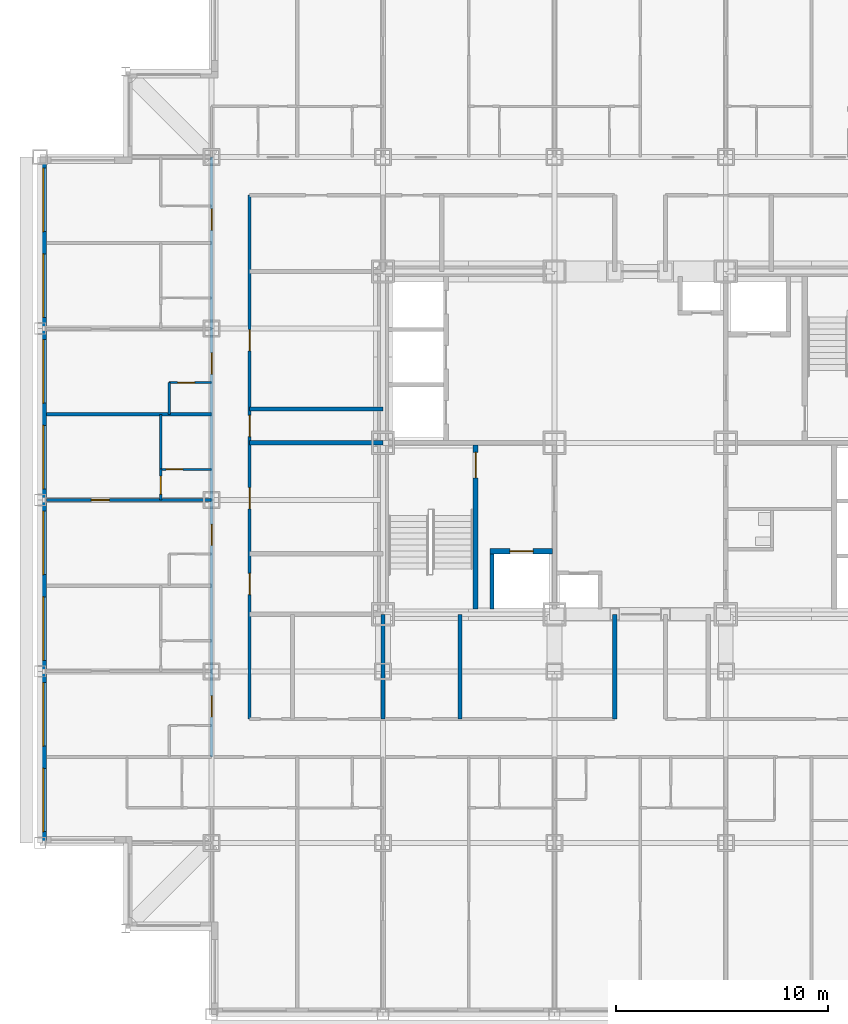
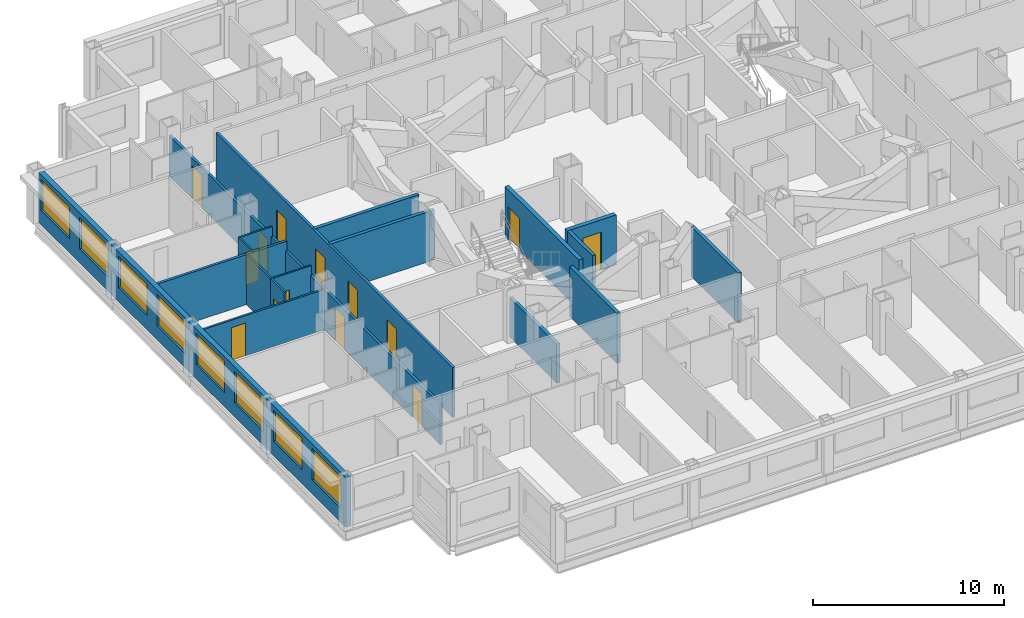
# One storey, part 6 of 14: 18 walls, 14 doors, 8 windows, 22 openings.
"""IFC4 building model written with IfcOpenShell, lengths in metres."""

from ifc_helpers import new_model, si_unit, direction, frame, frame_2d, origin, place, context, subcontext, project, spatial, rectangle, extrude, material, layer, layer_set, type_object, element, fill, save


model = new_model("IFC4")

# Units and contexts
model_context = context("Model", 3, precision=1e-05, world=origin(), true_north=direction((0.0, 1.0)))
body_context = subcontext(model_context, "Body", "Model", "MODEL_VIEW")
ifc_project = project(units=[si_unit("LENGTHUNIT", "METRE"), si_unit("AREAUNIT", "SQUARE_METRE"), si_unit("VOLUMEUNIT", "CUBIC_METRE"), si_unit("PLANEANGLEUNIT", "RADIAN"), si_unit("MASSUNIT", "GRAM", prefix="KILO")], contexts=[model_context])

# Site, building, storey
site_placement = place(None, origin())
site = spatial("IfcSite", under=ifc_project, at=site_placement, CompositionType="ELEMENT")
building_placement = place(site_placement, origin())
building = spatial("IfcBuilding", under=site, at=building_placement, Name="Kopane Lantern Tower", CompositionType="ELEMENT")
storey_placement = place(building_placement, frame((0.0, 0.0, 137.39990234375)))
storey = spatial("IfcBuildingStorey", under=building, at=storey_placement, Name="L35", CompositionType="ELEMENT", Elevation=137.39990234375)

# Wall, opening, door
ifc_material_1 = material(Name="Gypsum board on steel studs", Category="steel")
ifc_layer_1 = layer(ifc_material_1, 0.1201171875)
ifc_layer_set_1 = layer_set([ifc_layer_1], Name="APARTMENT INTERNAL WALL 120")
wall_type_1 = type_object("IfcWallType", Name="APARTMENT INTERNAL WALL 120", PredefinedType="PARTITIONING", material=ifc_layer_set_1)
wall_1_placement = place(storey_placement, frame((8.10009765625, 29.699951171875, 0.0), z_axis=(0.0, 0.0, 1.0), x_axis=(-1.0, 0.0, 0.0)))
wall_1 = element("IfcWall", 1, at=wall_1_placement, inside=storey, type_object=wall_type_1, Name="Apartment Internal Wall 120 L35", PredefinedType="PARTITIONING", context=body_context, shape_type="SweptSolid", body=[
    extrude(rectangle(XDim=7.800048828125, YDim=0.1201171875, at=frame_2d((3.89990234375, 0.0))), origin(), (0.0, 0.0, 1.0), 2.577880859375),
])
opening_1_placement = place(wall_1_placement, frame((4.824951171875, 0.0, 0.0)))
opening_1 = element("IfcOpeningElement", 2, at=opening_1_placement, cuts=wall_1, Name="Opening L35-050", PredefinedType="OPENING", context=body_context, shape_type="SweptSolid", body=[
    extrude(rectangle(XDim=0.85009765625, YDim=2.10009765625, at=frame_2d((0.425048828125, 1.050048828125))), frame((0.0, 0.070068359375, 0.0), z_axis=(0.0, -1.0, 0.0), x_axis=(1.0, 0.0, 0.0)), (0.0, 0.0, 1.0), 0.14013671875),
])
ifc_material_2 = material(Name="Timber door set", Category="wood")
door_type_1 = type_object("IfcDoorType", Name="DOOR D4 850x2100", OperationType="SINGLE_SWING_LEFT", PredefinedType="DOOR", material=ifc_material_2)
door_1_placement = place(opening_1_placement, origin())
door_1 = element("IfcDoor", 3, at=door_1_placement, inside=storey, type_object=door_type_1, Name="Door L35-050", OperationType="SINGLE_SWING_RIGHT", OverallHeight=2.10009765625, OverallWidth=0.85009765625, PredefinedType="DOOR", context=body_context, shape_type="SweptSolid", body=[
    extrude(rectangle(XDim=0.85009765625, YDim=2.10009765625, at=frame_2d((0.425048828125, 1.050048828125))), frame((0.0, 0.02490234375, 0.0), z_axis=(0.0, -1.0, 0.0), x_axis=(1.0, 0.0, 0.0)), (0.0, 0.0, 1.0), 0.050048828125),
])
fill(opening_1, door_1)

wall_2_placement = place(storey_placement, frame((5.699951171875, 29.699951171875, 0.0), z_axis=(0.0, 0.0, 1.0), x_axis=(0.0, 1.0, 0.0)))
wall_2 = element("IfcWall", 4, at=wall_2_placement, inside=storey, type_object=wall_type_1, Name="Apartment Internal Wall 120 L35", PredefinedType="PARTITIONING", context=body_context, shape_type="SweptSolid", body=[
    extrude(rectangle(XDim=1.4599609375, YDim=0.1201171875, at=frame_2d((0.72998046875, 0.0))), origin(), (0.0, 0.0, 1.0), 3.190185546875),
])
opening_2_placement = place(wall_2_placement, frame((0.27490234375, 0.0, 0.0)))
opening_2 = element("IfcOpeningElement", 5, at=opening_2_placement, cuts=wall_2, Name="Opening L35-095", PredefinedType="OPENING", context=body_context, shape_type="SweptSolid", body=[
    extrude(rectangle(XDim=0.85009765625, YDim=2.10009765625, at=frame_2d((0.425048828125, 1.050048828125))), frame((0.0, 0.070068359375, 0.0), z_axis=(0.0, -1.0, 0.0), x_axis=(1.0, 0.0, 0.0)), (0.0, 0.0, 1.0), 0.14013671875),
])
door_2_placement = place(opening_2_placement, origin())
door_2 = element("IfcDoor", 6, at=door_2_placement, inside=storey, type_object=door_type_1, Name="Door L35-095", OperationType="SINGLE_SWING_LEFT", OverallHeight=2.10009765625, OverallWidth=0.85009765625, PredefinedType="DOOR", context=body_context, shape_type="SweptSolid", body=[
    extrude(rectangle(XDim=0.85009765625, YDim=2.10009765625, at=frame_2d((0.425048828125, 1.050048828125))), frame((0.0, 0.02490234375, 0.0), z_axis=(0.0, -1.0, 0.0), x_axis=(1.0, 0.0, 0.0)), (0.0, 0.0, 1.0), 0.050048828125),
])
fill(opening_2, door_2)

# Wall
ifc_material_3 = material(Name="Moisture-resistant board on steel studs", Category="steel")
ifc_layer_2 = layer(ifc_material_3, 0.10009765625)
ifc_layer_set_2 = layer_set([ifc_layer_2], Name="BATHROOM WALL 100")
wall_type_2 = type_object("IfcWallType", Name="BATHROOM WALL 100", PredefinedType="PARTITIONING", material=ifc_layer_set_2)
wall_3_placement = place(storey_placement, frame((5.699951171875, 31.14990234375, 0.0), z_axis=(0.0, 0.0, 1.0), x_axis=(0.0, 1.0, 0.0)))
element("IfcWall", 7, at=wall_3_placement, inside=storey, type_object=wall_type_2, Name="Bathroom Wall 100 L35", PredefinedType="PARTITIONING", context=body_context, shape_type="SweptSolid", body=[
    extrude(rectangle(XDim=2.60009765625, YDim=0.10009765625, at=frame_2d((1.300048828125, 0.0))), origin(), (0.0, 0.0, 1.0), 3.190185546875),
])

# Wall, opening, door
wall_4_placement = place(storey_placement, frame((8.10009765625, 31.14990234375, 0.0), z_axis=(0.0, 0.0, 1.0), x_axis=(-1.0, 0.0, 0.0)))
wall_4 = element("IfcWall", 8, at=wall_4_placement, inside=storey, type_object=wall_type_2, Name="Bathroom Wall 100 L35", PredefinedType="PARTITIONING", context=body_context, shape_type="SweptSolid", body=[
    extrude(rectangle(XDim=2.400146484375, YDim=0.10009765625, at=frame_2d((1.2001953125, 0.0))), origin(), (0.0, 0.0, 1.0), 3.190185546875),
])
opening_3_placement = place(wall_4_placement, frame((1.35009765625, 0.0, 0.0)))
opening_3 = element("IfcOpeningElement", 9, at=opening_3_placement, cuts=wall_4, Name="Opening L35-049", PredefinedType="OPENING", context=body_context, shape_type="SweptSolid", body=[
    extrude(rectangle(XDim=0.800048828125, YDim=2.10009765625, at=frame_2d((0.39990234375, 1.050048828125))), frame((0.0, 0.06005859375, 0.0), z_axis=(0.0, -1.0, 0.0), x_axis=(1.0, 0.0, 0.0)), (0.0, 0.0, 1.0), 0.1201171875),
])
ifc_material_4 = material(Name="Timber door set", Category="wood")
door_type_2 = type_object("IfcDoorType", Name="DOOR D2 800x2100", OperationType="SINGLE_SWING_LEFT", PredefinedType="DOOR", material=ifc_material_4)
door_3_placement = place(opening_3_placement, origin())
door_3 = element("IfcDoor", 10, at=door_3_placement, inside=storey, type_object=door_type_2, Name="Door L35-049", OperationType="SINGLE_SWING_RIGHT", OverallHeight=2.10009765625, OverallWidth=0.800048828125, PredefinedType="DOOR", context=body_context, shape_type="SweptSolid", body=[
    extrude(rectangle(XDim=0.800048828125, YDim=2.10009765625, at=frame_2d((0.39990234375, 1.050048828125))), frame((0.0, 0.02490234375, 0.0), z_axis=(0.0, -1.0, 0.0), x_axis=(1.0, 0.0, 0.0)), (0.0, 0.0, 1.0), 0.050048828125),
])
fill(opening_3, door_3)

# Wall
wall_5_placement = place(storey_placement, frame((6.10009765625, 33.75, 0.0), z_axis=(0.0, 0.0, 1.0), x_axis=(0.0, 1.0, 0.0)))
element("IfcWall", 11, at=wall_5_placement, inside=storey, type_object=wall_type_2, Name="Bathroom Wall 100 L35", PredefinedType="PARTITIONING", context=body_context, shape_type="SweptSolid", body=[
    extrude(rectangle(XDim=1.5, YDim=0.10009765625, at=frame_2d((0.75, 0.0))), origin(), (0.0, 0.0, 1.0), 3.190185546875),
])

# Wall, opening, door
wall_6_placement = place(storey_placement, frame((8.10009765625, 35.25, 0.0), z_axis=(0.0, 0.0, 1.0), x_axis=(-1.0, 0.0, 0.0)))
wall_6 = element("IfcWall", 12, at=wall_6_placement, inside=storey, type_object=wall_type_2, Name="Bathroom Wall 100 L35", PredefinedType="PARTITIONING", context=body_context, shape_type="SweptSolid", body=[
    extrude(rectangle(XDim=2.0, YDim=0.10009765625, at=frame_2d((1.0, 0.0))), origin(), (0.0, 0.0, 1.0), 3.190185546875),
])
opening_4_placement = place(wall_6_placement, frame((0.800048828125, 0.0, 0.0)))
opening_4 = element("IfcOpeningElement", 13, at=opening_4_placement, cuts=wall_6, Name="Opening L35-051", PredefinedType="OPENING", context=body_context, shape_type="SweptSolid", body=[
    extrude(rectangle(XDim=0.800048828125, YDim=2.10009765625, at=frame_2d((0.39990234375, 1.050048828125))), frame((0.0, 0.06005859375, 0.0), z_axis=(0.0, -1.0, 0.0), x_axis=(1.0, 0.0, 0.0)), (0.0, 0.0, 1.0), 0.1201171875),
])
door_4_placement = place(opening_4_placement, origin())
door_4 = element("IfcDoor", 14, at=door_4_placement, inside=storey, type_object=door_type_2, Name="Door L35-051", OperationType="SINGLE_SWING_RIGHT", OverallHeight=2.10009765625, OverallWidth=0.800048828125, PredefinedType="DOOR", context=body_context, shape_type="SweptSolid", body=[
    extrude(rectangle(XDim=0.800048828125, YDim=2.10009765625, at=frame_2d((0.39990234375, 1.050048828125))), frame((0.0, 0.02490234375, 0.0), z_axis=(0.0, -1.0, 0.0), x_axis=(1.0, 0.0, 0.0)), (0.0, 0.0, 1.0), 0.050048828125),
])
fill(opening_4, door_4)

ifc_material_5 = material(Name="Gypsum shaft wall EI 120", Category="gypsum")
ifc_layer_3 = layer(ifc_material_5, 0.25)
ifc_layer_set_3 = layer_set([ifc_layer_3], Name="CORE SHAFT WALL 250 EI 120")
wall_type_3 = type_object("IfcWallType", Name="CORE SHAFT WALL 250 EI 120", PredefinedType="SOLIDWALL", material=ifc_layer_set_3)
wall_7_placement = place(storey_placement, frame((20.574951171875, 24.550048828125, 0.0), z_axis=(0.0, 0.0, 1.0), x_axis=(0.0, 1.0, 0.0)))
wall_7 = element("IfcWall", 15, at=wall_7_placement, inside=storey, type_object=wall_type_3, Name="Core shaft wall L35 XST1", PredefinedType="SOLIDWALL", context=body_context, shape_type="SweptSolid", body=[
    extrude(rectangle(XDim=7.75, YDim=0.25, at=frame_2d((3.875, 0.0))), origin(), (0.0, 0.0, 1.0), 3.190185546875),
])
opening_5_placement = place(wall_7_placement, frame((6.199951171875, 0.0, 0.0)))
opening_5 = element("IfcOpeningElement", 16, at=opening_5_placement, cuts=wall_7, Name="Opening 35.SD1", PredefinedType="OPENING", context=body_context, shape_type="SweptSolid", body=[
    extrude(rectangle(XDim=1.199951171875, YDim=2.10009765625, at=frame_2d((0.60009765625, 1.050048828125))), frame((0.0, 0.135009765625, 0.0), z_axis=(0.0, -1.0, 0.0), x_axis=(1.0, 0.0, 0.0)), (0.0, 0.0, 1.0), 0.27001953125),
])
ifc_material_6 = material(Name="Steel door set", Category="steel")
door_type_3 = type_object("IfcDoorType", Name="STAIR DOOR 1200x2100 FD60S", OperationType="SINGLE_SWING_LEFT", PredefinedType="DOOR", material=ifc_material_6)
door_5_placement = place(opening_5_placement, origin())
door_5 = element("IfcDoor", 17, at=door_5_placement, inside=storey, type_object=door_type_3, Name="Stair door ST1 L35", OperationType="SINGLE_SWING_LEFT", OverallHeight=2.10009765625, OverallWidth=1.199951171875, PredefinedType="DOOR", context=body_context, shape_type="SweptSolid", body=[
    extrude(rectangle(XDim=1.199951171875, YDim=2.10009765625, at=frame_2d((0.60009765625, 1.050048828125))), frame((0.0, 0.02490234375, 0.0), z_axis=(0.0, -1.0, 0.0), x_axis=(1.0, 0.0, 0.0)), (0.0, 0.0, 1.0), 0.050048828125),
])
fill(opening_5, door_5)

wall_8_placement = place(storey_placement, frame((21.25, 27.27490234375, 0.0), z_axis=(0.0, 0.0, 1.0), x_axis=(1.0, 0.0, 0.0)))
wall_8 = element("IfcWall", 18, at=wall_8_placement, inside=storey, type_object=wall_type_3, Name="Core shaft wall L35 YLF1", PredefinedType="SOLIDWALL", context=body_context, shape_type="SweptSolid", body=[
    extrude(rectangle(XDim=2.949951171875, YDim=0.25, at=frame_2d((1.47509765625, 0.0))), origin(), (0.0, 0.0, 1.0), 3.190185546875),
])
opening_6_placement = place(wall_8_placement, frame((0.949951171875, 0.0, 0.0)))
opening_6 = element("IfcOpeningElement", 19, at=opening_6_placement, cuts=wall_8, Name="Opening 35.LD-LF1", PredefinedType="OPENING", context=body_context, shape_type="SweptSolid", body=[
    extrude(rectangle(XDim=1.10009765625, YDim=2.39990234375, at=frame_2d((0.550048828125, 1.199951171875))), frame((0.0, 0.135009765625, 0.0), z_axis=(0.0, -1.0, 0.0), x_axis=(1.0, 0.0, 0.0)), (0.0, 0.0, 1.0), 0.27001953125),
])
ifc_material_7 = material(Name="Steel door set", Category="steel")
door_type_4 = type_object("IfcDoorType", Name="LIFT LANDING DOOR 1100x2400 FD60", OperationType="DOUBLE_DOOR_SLIDING", PredefinedType="DOOR", material=ifc_material_7)
door_6_placement = place(opening_6_placement, origin())
door_6 = element("IfcDoor", 20, at=door_6_placement, inside=storey, type_object=door_type_4, Name="Landing door LF1 L35", OperationType="DOUBLE_DOOR_SLIDING", OverallHeight=2.39990234375, OverallWidth=1.10009765625, PredefinedType="DOOR", context=body_context, shape_type="SweptSolid", body=[
    extrude(rectangle(XDim=1.10009765625, YDim=2.39990234375, at=frame_2d((0.550048828125, 1.199951171875))), frame((0.0, 0.02490234375, 0.0), z_axis=(0.0, -1.0, 0.0), x_axis=(1.0, 0.0, 0.0)), (0.0, 0.0, 1.0), 0.050048828125),
])
fill(opening_6, door_6)

# Wall, openings, doors
ifc_material_8 = material(Name="Gypsum board on steel studs", Category="steel")
ifc_layer_4 = layer(ifc_material_8, 0.14990234375)
ifc_layer_set_4 = layer_set([ifc_layer_4], Name="CORRIDOR WALL 150 EI 60")
wall_type_4 = type_object("IfcWallType", Name="CORRIDOR WALL 150 EI 60", PredefinedType="PARTITIONING", material=ifc_layer_set_4)
wall_9_placement = place(storey_placement, frame((8.10009765625, 17.550048828125, 0.0), z_axis=(0.0, 0.0, 1.0), x_axis=(0.0, 1.0, 0.0)))
wall_9 = element("IfcWall", 21, at=wall_9_placement, inside=storey, type_object=wall_type_4, Name="Corridor Wall 150 Ei 60 L35", PredefinedType="PARTITIONING", context=body_context, shape_type="SweptSolid", body=[
    extrude(rectangle(XDim=28.349853515625, YDim=0.14990234375, at=frame_2d((14.1748046875, 0.0))), origin(), (0.0, 0.0, 1.0), 2.577880859375),
])
opening_7_placement = place(wall_9_placement, frame((1.89990234375, 0.0, 0.0)))
opening_7 = element("IfcOpeningElement", 22, at=opening_7_placement, cuts=wall_9, Name="Opening L35-044", PredefinedType="OPENING", context=body_context, shape_type="SweptSolid", body=[
    extrude(rectangle(XDim=1.0, YDim=2.10009765625, at=frame_2d((0.5, 1.050048828125))), frame((0.0, 0.0849609375, 0.0), z_axis=(0.0, -1.0, 0.0), x_axis=(1.0, 0.0, 0.0)), (0.0, 0.0, 1.0), 0.169921875),
])
opening_8_placement = place(wall_9_placement, frame((10.0, 0.0, 0.0)))
opening_8 = element("IfcOpeningElement", 23, at=opening_8_placement, cuts=wall_9, Name="Opening L35-048", PredefinedType="OPENING", context=body_context, shape_type="SweptSolid", body=[
    extrude(rectangle(XDim=1.0, YDim=2.10009765625, at=frame_2d((0.5, 1.050048828125))), frame((0.0, 0.0849609375, 0.0), z_axis=(0.0, -1.0, 0.0), x_axis=(1.0, 0.0, 0.0)), (0.0, 0.0, 1.0), 0.169921875),
])
opening_9_placement = place(wall_9_placement, frame((18.10009765625, 0.0, 0.0)))
opening_9 = element("IfcOpeningElement", 24, at=opening_9_placement, cuts=wall_9, Name="Opening L35-052", PredefinedType="OPENING", context=body_context, shape_type="SweptSolid", body=[
    extrude(rectangle(XDim=1.0, YDim=2.10009765625, at=frame_2d((0.5, 1.050048828125))), frame((0.0, 0.0849609375, 0.0), z_axis=(0.0, -1.0, 0.0), x_axis=(1.0, 0.0, 0.0)), (0.0, 0.0, 1.0), 0.169921875),
])
opening_10_placement = place(wall_9_placement, frame((24.89990234375, 0.0, 0.0)))
opening_10 = element("IfcOpeningElement", 25, at=opening_10_placement, cuts=wall_9, Name="Opening L35-056", PredefinedType="OPENING", context=body_context, shape_type="SweptSolid", body=[
    extrude(rectangle(XDim=1.0, YDim=2.10009765625, at=frame_2d((0.5, 1.050048828125))), frame((0.0, 0.0849609375, 0.0), z_axis=(0.0, -1.0, 0.0), x_axis=(1.0, 0.0, 0.0)), (0.0, 0.0, 1.0), 0.169921875),
])
ifc_material_9 = material(Name="Steel door set", Category="steel")
door_type_5 = type_object("IfcDoorType", Name="DOOR D1 1000x2100 FD30S", OperationType="SINGLE_SWING_LEFT", PredefinedType="DOOR", material=ifc_material_9)
door_7_placement = place(opening_7_placement, origin())
door_7 = element("IfcDoor", 26, at=door_7_placement, inside=storey, type_object=door_type_5, Name="Door L35-044", OperationType="SINGLE_SWING_LEFT", OverallHeight=2.10009765625, OverallWidth=1.0, PredefinedType="DOOR", context=body_context, shape_type="SweptSolid", body=[
    extrude(rectangle(XDim=1.0, YDim=2.10009765625, at=frame_2d((0.5, 1.050048828125))), frame((0.0, 0.02490234375, 0.0), z_axis=(0.0, -1.0, 0.0), x_axis=(1.0, 0.0, 0.0)), (0.0, 0.0, 1.0), 0.050048828125),
])
fill(opening_7, door_7)
door_8_placement = place(opening_8_placement, origin())
door_8 = element("IfcDoor", 27, at=door_8_placement, inside=storey, type_object=door_type_5, Name="Door L35-048", OperationType="SINGLE_SWING_LEFT", OverallHeight=2.10009765625, OverallWidth=1.0, PredefinedType="DOOR", context=body_context, shape_type="SweptSolid", body=[
    extrude(rectangle(XDim=1.0, YDim=2.10009765625, at=frame_2d((0.5, 1.050048828125))), frame((0.0, 0.02490234375, 0.0), z_axis=(0.0, -1.0, 0.0), x_axis=(1.0, 0.0, 0.0)), (0.0, 0.0, 1.0), 0.050048828125),
])
fill(opening_8, door_8)
door_9_placement = place(opening_9_placement, origin())
door_9 = element("IfcDoor", 28, at=door_9_placement, inside=storey, type_object=door_type_5, Name="Door L35-052", OperationType="SINGLE_SWING_LEFT", OverallHeight=2.10009765625, OverallWidth=1.0, PredefinedType="DOOR", context=body_context, shape_type="SweptSolid", body=[
    extrude(rectangle(XDim=1.0, YDim=2.10009765625, at=frame_2d((0.5, 1.050048828125))), frame((0.0, 0.02490234375, 0.0), z_axis=(0.0, -1.0, 0.0), x_axis=(1.0, 0.0, 0.0)), (0.0, 0.0, 1.0), 0.050048828125),
])
fill(opening_9, door_9)
door_10_placement = place(opening_10_placement, origin())
door_10 = element("IfcDoor", 29, at=door_10_placement, inside=storey, type_object=door_type_5, Name="Door L35-056", OperationType="SINGLE_SWING_RIGHT", OverallHeight=2.10009765625, OverallWidth=1.0, PredefinedType="DOOR", context=body_context, shape_type="SweptSolid", body=[
    extrude(rectangle(XDim=1.0, YDim=2.10009765625, at=frame_2d((0.5, 1.050048828125))), frame((0.0, 0.02490234375, 0.0), z_axis=(0.0, -1.0, 0.0), x_axis=(1.0, 0.0, 0.0)), (0.0, 0.0, 1.0), 0.050048828125),
])
fill(opening_10, door_10)

wall_10_placement = place(storey_placement, frame((9.89990234375, 44.10009765625, 0.0), z_axis=(0.0, 0.0, 1.0), x_axis=(0.0, -1.0, 0.0)))
wall_10 = element("IfcWall", 30, at=wall_10_placement, inside=storey, type_object=wall_type_4, Name="Corridor Wall 150 Ei 60 L35", PredefinedType="PARTITIONING", context=body_context, shape_type="SweptSolid", body=[
    extrude(rectangle(XDim=24.75, YDim=0.14990234375, at=frame_2d((12.375, 0.0))), origin(), (0.0, 0.0, 1.0), 3.190185546875),
])
opening_11_placement = place(wall_10_placement, frame((17.871337890625, 0.0, 0.0)))
opening_11 = element("IfcOpeningElement", 31, at=opening_11_placement, cuts=wall_10, Name="Opening L35-001", PredefinedType="OPENING", context=body_context, shape_type="SweptSolid", body=[
    extrude(rectangle(XDim=1.0, YDim=2.10009765625, at=frame_2d((0.5, 1.050048828125))), frame((0.0, 0.0849609375, 0.0), z_axis=(0.0, -1.0, 0.0), x_axis=(1.0, 0.0, 0.0)), (0.0, 0.0, 1.0), 0.169921875),
])
opening_12_placement = place(wall_10_placement, frame((13.8212890625, 0.0, 0.0)))
opening_12 = element("IfcOpeningElement", 32, at=opening_12_placement, cuts=wall_10, Name="Opening L35-002", PredefinedType="OPENING", context=body_context, shape_type="SweptSolid", body=[
    extrude(rectangle(XDim=1.0, YDim=2.10009765625, at=frame_2d((0.5, 1.050048828125))), frame((0.0, 0.0849609375, 0.0), z_axis=(0.0, -1.0, 0.0), x_axis=(1.0, 0.0, 0.0)), (0.0, 0.0, 1.0), 0.169921875),
])
opening_13_placement = place(wall_10_placement, frame((10.39990234375, 0.0, 0.0)))
opening_13 = element("IfcOpeningElement", 33, at=opening_13_placement, cuts=wall_10, Name="Opening L35-003", PredefinedType="OPENING", context=body_context, shape_type="SweptSolid", body=[
    extrude(rectangle(XDim=1.0, YDim=2.10009765625, at=frame_2d((0.5, 1.050048828125))), frame((0.0, 0.0849609375, 0.0), z_axis=(0.0, -1.0, 0.0), x_axis=(1.0, 0.0, 0.0)), (0.0, 0.0, 1.0), 0.169921875),
])
opening_14_placement = place(wall_10_placement, frame((6.35009765625, 0.0, 0.0)))
opening_14 = element("IfcOpeningElement", 34, at=opening_14_placement, cuts=wall_10, Name="Opening L35-004", PredefinedType="OPENING", context=body_context, shape_type="SweptSolid", body=[
    extrude(rectangle(XDim=1.0, YDim=2.10009765625, at=frame_2d((0.5, 1.050048828125))), frame((0.0, 0.0849609375, 0.0), z_axis=(0.0, -1.0, 0.0), x_axis=(1.0, 0.0, 0.0)), (0.0, 0.0, 1.0), 0.169921875),
])
ifc_material_10 = material(Name="Steel door set", Category="steel")
door_type_6 = type_object("IfcDoorType", Name="DOOR D5 1000x2100 FD60", OperationType="SINGLE_SWING_LEFT", PredefinedType="DOOR", material=ifc_material_10)
door_11_placement = place(opening_11_placement, origin())
door_11 = element("IfcDoor", 35, at=door_11_placement, inside=storey, type_object=door_type_6, Name="Door L35-001", OperationType="SINGLE_SWING_RIGHT", OverallHeight=2.10009765625, OverallWidth=1.0, PredefinedType="DOOR", context=body_context, shape_type="SweptSolid", body=[
    extrude(rectangle(XDim=1.0, YDim=2.10009765625, at=frame_2d((0.5, 1.050048828125))), frame((0.0, 0.02490234375, 0.0), z_axis=(0.0, -1.0, 0.0), x_axis=(1.0, 0.0, 0.0)), (0.0, 0.0, 1.0), 0.050048828125),
])
fill(opening_11, door_11)
door_12_placement = place(opening_12_placement, origin())
door_12 = element("IfcDoor", 36, at=door_12_placement, inside=storey, type_object=door_type_6, Name="Door L35-002", OperationType="SINGLE_SWING_LEFT", OverallHeight=2.10009765625, OverallWidth=1.0, PredefinedType="DOOR", context=body_context, shape_type="SweptSolid", body=[
    extrude(rectangle(XDim=1.0, YDim=2.10009765625, at=frame_2d((0.5, 1.050048828125))), frame((0.0, 0.02490234375, 0.0), z_axis=(0.0, -1.0, 0.0), x_axis=(1.0, 0.0, 0.0)), (0.0, 0.0, 1.0), 0.050048828125),
])
fill(opening_12, door_12)
door_13_placement = place(opening_13_placement, origin())
door_13 = element("IfcDoor", 37, at=door_13_placement, inside=storey, type_object=door_type_6, Name="Door L35-003", OperationType="SINGLE_SWING_RIGHT", OverallHeight=2.10009765625, OverallWidth=1.0, PredefinedType="DOOR", context=body_context, shape_type="SweptSolid", body=[
    extrude(rectangle(XDim=1.0, YDim=2.10009765625, at=frame_2d((0.5, 1.050048828125))), frame((0.0, 0.02490234375, 0.0), z_axis=(0.0, -1.0, 0.0), x_axis=(1.0, 0.0, 0.0)), (0.0, 0.0, 1.0), 0.050048828125),
])
fill(opening_13, door_13)
door_14_placement = place(opening_14_placement, origin())
door_14 = element("IfcDoor", 38, at=door_14_placement, inside=storey, type_object=door_type_6, Name="Door L35-004", OperationType="SINGLE_SWING_LEFT", OverallHeight=2.10009765625, OverallWidth=1.0, PredefinedType="DOOR", context=body_context, shape_type="SweptSolid", body=[
    extrude(rectangle(XDim=1.0, YDim=2.10009765625, at=frame_2d((0.5, 1.050048828125))), frame((0.0, 0.02490234375, 0.0), z_axis=(0.0, -1.0, 0.0), x_axis=(1.0, 0.0, 0.0)), (0.0, 0.0, 1.0), 0.050048828125),
])
fill(opening_14, door_14)

# Wall
ifc_material_11 = material(Name="Gypsum board on steel studs", Category="steel")
ifc_layer_5 = layer(ifc_material_11, 0.14990234375)
ifc_layer_set_5 = layer_set([ifc_layer_5], Name="DEMISING WALL 150 EI 60")
wall_type_5 = type_object("IfcWallType", Name="DEMISING WALL 150 EI 60", PredefinedType="PARTITIONING", material=ifc_layer_set_5)
wall_11_placement = place(storey_placement, frame((8.10009765625, 33.75, 0.0), z_axis=(0.0, 0.0, 1.0), x_axis=(-1.0, 0.0, 0.0)))
element("IfcWall", 39, at=wall_11_placement, inside=storey, type_object=wall_type_5, Name="Demising Wall 150 Ei 60 L35", PredefinedType="PARTITIONING", context=body_context, shape_type="SweptSolid", body=[
    extrude(rectangle(XDim=7.800048828125, YDim=0.14990234375, at=frame_2d((3.89990234375, 0.0))), origin(), (0.0, 0.0, 1.0), 3.190185546875),
])

# Wall, openings, windows
ifc_material_12 = material(Name="Terracotta rainscreen on light steel framing", Category="masonry")
ifc_layer_6 = layer(ifc_material_12, 0.300048828125)
ifc_layer_set_6 = layer_set([ifc_layer_6], Name="EXTERNAL WALL EW1 300 TERRACOTTA")
wall_type_6 = type_object("IfcWallType", Name="EXTERNAL WALL EW1 300 TERRACOTTA", PredefinedType="SOLIDWALL", material=ifc_layer_set_6)
wall_12_placement = place(storey_placement, frame((0.14990234375, 45.60009765625, 0.0), z_axis=(0.0, 0.0, 1.0), x_axis=(0.0, -1.0, 0.0)))
wall_12 = element("IfcWall", 40, at=wall_12_placement, inside=storey, type_object=wall_type_6, Name="External wall W L35", PredefinedType="SOLIDWALL", context=body_context, shape_type="SweptSolid", body=[
    extrude(rectangle(XDim=32.10009765625, YDim=0.300048828125, at=frame_2d((16.050048828125, 0.0))), origin(), (0.0, 0.0, 1.0), 3.190185546875),
])
opening_15_placement = place(wall_12_placement, frame((0.22509765625, 0.0, 0.89990234375)))
opening_15 = element("IfcOpeningElement", 41, at=opening_15_placement, cuts=wall_12, Name="Opening WR300200", PredefinedType="OPENING", context=body_context, shape_type="SweptSolid", body=[
    extrude(rectangle(XDim=3.0, YDim=2.0, at=frame_2d((1.5, 1.0))), frame((0.0, 0.159912109375, 0.0), z_axis=(0.0, -1.0, 0.0), x_axis=(1.0, 0.0, 0.0)), (0.0, 0.0, 1.0), 0.320068359375),
])
opening_16_placement = place(wall_12_placement, frame((4.27490234375, 0.0, 0.89990234375)))
opening_16 = element("IfcOpeningElement", 42, at=opening_16_placement, cuts=wall_12, Name="Opening WR300200", PredefinedType="OPENING", context=body_context, shape_type="SweptSolid", body=[
    extrude(rectangle(XDim=3.0, YDim=2.0, at=frame_2d((1.5, 1.0))), frame((0.0, 0.159912109375, 0.0), z_axis=(0.0, -1.0, 0.0), x_axis=(1.0, 0.0, 0.0)), (0.0, 0.0, 1.0), 0.320068359375),
])
opening_17_placement = place(wall_12_placement, frame((8.324951171875, 0.0, 0.89990234375)))
opening_17 = element("IfcOpeningElement", 43, at=opening_17_placement, cuts=wall_12, Name="Opening WR300200", PredefinedType="OPENING", context=body_context, shape_type="SweptSolid", body=[
    extrude(rectangle(XDim=3.0, YDim=2.0, at=frame_2d((1.5, 1.0))), frame((0.0, 0.159912109375, 0.0), z_axis=(0.0, -1.0, 0.0), x_axis=(1.0, 0.0, 0.0)), (0.0, 0.0, 1.0), 0.320068359375),
])
opening_18_placement = place(wall_12_placement, frame((12.375, 0.0, 0.89990234375)))
opening_18 = element("IfcOpeningElement", 44, at=opening_18_placement, cuts=wall_12, Name="Opening WR300200", PredefinedType="OPENING", context=body_context, shape_type="SweptSolid", body=[
    extrude(rectangle(XDim=3.0, YDim=2.0, at=frame_2d((1.5, 1.0))), frame((0.0, 0.159912109375, 0.0), z_axis=(0.0, -1.0, 0.0), x_axis=(1.0, 0.0, 0.0)), (0.0, 0.0, 1.0), 0.320068359375),
])
opening_19_placement = place(wall_12_placement, frame((16.425048828125, 0.0, 0.89990234375)))
opening_19 = element("IfcOpeningElement", 45, at=opening_19_placement, cuts=wall_12, Name="Opening WR300200", PredefinedType="OPENING", context=body_context, shape_type="SweptSolid", body=[
    extrude(rectangle(XDim=3.0, YDim=2.0, at=frame_2d((1.5, 1.0))), frame((0.0, 0.159912109375, 0.0), z_axis=(0.0, -1.0, 0.0), x_axis=(1.0, 0.0, 0.0)), (0.0, 0.0, 1.0), 0.320068359375),
])
opening_20_placement = place(wall_12_placement, frame((20.47509765625, 0.0, 0.89990234375)))
opening_20 = element("IfcOpeningElement", 46, at=opening_20_placement, cuts=wall_12, Name="Opening WR300200", PredefinedType="OPENING", context=body_context, shape_type="SweptSolid", body=[
    extrude(rectangle(XDim=3.0, YDim=2.0, at=frame_2d((1.5, 1.0))), frame((0.0, 0.159912109375, 0.0), z_axis=(0.0, -1.0, 0.0), x_axis=(1.0, 0.0, 0.0)), (0.0, 0.0, 1.0), 0.320068359375),
])
opening_21_placement = place(wall_12_placement, frame((24.52490234375, 0.0, 0.89990234375)))
opening_21 = element("IfcOpeningElement", 47, at=opening_21_placement, cuts=wall_12, Name="Opening WR300200", PredefinedType="OPENING", context=body_context, shape_type="SweptSolid", body=[
    extrude(rectangle(XDim=3.0, YDim=2.0, at=frame_2d((1.5, 1.0))), frame((0.0, 0.159912109375, 0.0), z_axis=(0.0, -1.0, 0.0), x_axis=(1.0, 0.0, 0.0)), (0.0, 0.0, 1.0), 0.320068359375),
])
opening_22_placement = place(wall_12_placement, frame((28.574951171875, 0.0, 0.89990234375)))
opening_22 = element("IfcOpeningElement", 48, at=opening_22_placement, cuts=wall_12, Name="Opening WR300200", PredefinedType="OPENING", context=body_context, shape_type="SweptSolid", body=[
    extrude(rectangle(XDim=3.0, YDim=2.0, at=frame_2d((1.5, 1.0))), frame((0.0, 0.159912109375, 0.0), z_axis=(0.0, -1.0, 0.0), x_axis=(1.0, 0.0, 0.0)), (0.0, 0.0, 1.0), 0.320068359375),
])
ifc_material_13 = material(Name="Aluminium and clear glass", Category="aluminium")
window_type = type_object("IfcWindowType", Name="RIBBON WINDOW WR300200 3000x2000", PartitioningType="SINGLE_PANEL", PredefinedType="WINDOW", material=ifc_material_13)
window_1_placement = place(opening_15_placement, origin())
window_1 = element("IfcWindow", 49, at=window_1_placement, inside=storey, type_object=window_type, Name="Window W L35", OverallHeight=2.0, OverallWidth=3.0, PartitioningType="SINGLE_PANEL", PredefinedType="WINDOW", context=body_context, shape_type="SweptSolid", body=[
    extrude(rectangle(XDim=3.0, YDim=2.0, at=frame_2d((1.5, 1.0))), frame((0.0, 0.030029296875, 0.0), z_axis=(0.0, -1.0, 0.0), x_axis=(1.0, 0.0, 0.0)), (0.0, 0.0, 1.0), 0.06005859375),
])
fill(opening_15, window_1)
window_2_placement = place(opening_16_placement, origin())
window_2 = element("IfcWindow", 50, at=window_2_placement, inside=storey, type_object=window_type, Name="Window W L35", OverallHeight=2.0, OverallWidth=3.0, PartitioningType="SINGLE_PANEL", PredefinedType="WINDOW", context=body_context, shape_type="SweptSolid", body=[
    extrude(rectangle(XDim=3.0, YDim=2.0, at=frame_2d((1.5, 1.0))), frame((0.0, 0.030029296875, 0.0), z_axis=(0.0, -1.0, 0.0), x_axis=(1.0, 0.0, 0.0)), (0.0, 0.0, 1.0), 0.06005859375),
])
fill(opening_16, window_2)
window_3_placement = place(opening_17_placement, origin())
window_3 = element("IfcWindow", 51, at=window_3_placement, inside=storey, type_object=window_type, Name="Window W L35", OverallHeight=2.0, OverallWidth=3.0, PartitioningType="SINGLE_PANEL", PredefinedType="WINDOW", context=body_context, shape_type="SweptSolid", body=[
    extrude(rectangle(XDim=3.0, YDim=2.0, at=frame_2d((1.5, 1.0))), frame((0.0, 0.030029296875, 0.0), z_axis=(0.0, -1.0, 0.0), x_axis=(1.0, 0.0, 0.0)), (0.0, 0.0, 1.0), 0.06005859375),
])
fill(opening_17, window_3)
window_4_placement = place(opening_18_placement, origin())
window_4 = element("IfcWindow", 52, at=window_4_placement, inside=storey, type_object=window_type, Name="Window W L35", OverallHeight=2.0, OverallWidth=3.0, PartitioningType="SINGLE_PANEL", PredefinedType="WINDOW", context=body_context, shape_type="SweptSolid", body=[
    extrude(rectangle(XDim=3.0, YDim=2.0, at=frame_2d((1.5, 1.0))), frame((0.0, 0.030029296875, 0.0), z_axis=(0.0, -1.0, 0.0), x_axis=(1.0, 0.0, 0.0)), (0.0, 0.0, 1.0), 0.06005859375),
])
fill(opening_18, window_4)
window_5_placement = place(opening_19_placement, origin())
window_5 = element("IfcWindow", 53, at=window_5_placement, inside=storey, type_object=window_type, Name="Window W L35", OverallHeight=2.0, OverallWidth=3.0, PartitioningType="SINGLE_PANEL", PredefinedType="WINDOW", context=body_context, shape_type="SweptSolid", body=[
    extrude(rectangle(XDim=3.0, YDim=2.0, at=frame_2d((1.5, 1.0))), frame((0.0, 0.030029296875, 0.0), z_axis=(0.0, -1.0, 0.0), x_axis=(1.0, 0.0, 0.0)), (0.0, 0.0, 1.0), 0.06005859375),
])
fill(opening_19, window_5)
window_6_placement = place(opening_20_placement, origin())
window_6 = element("IfcWindow", 54, at=window_6_placement, inside=storey, type_object=window_type, Name="Window W L35", OverallHeight=2.0, OverallWidth=3.0, PartitioningType="SINGLE_PANEL", PredefinedType="WINDOW", context=body_context, shape_type="SweptSolid", body=[
    extrude(rectangle(XDim=3.0, YDim=2.0, at=frame_2d((1.5, 1.0))), frame((0.0, 0.030029296875, 0.0), z_axis=(0.0, -1.0, 0.0), x_axis=(1.0, 0.0, 0.0)), (0.0, 0.0, 1.0), 0.06005859375),
])
fill(opening_20, window_6)
window_7_placement = place(opening_21_placement, origin())
window_7 = element("IfcWindow", 55, at=window_7_placement, inside=storey, type_object=window_type, Name="Window W L35", OverallHeight=2.0, OverallWidth=3.0, PartitioningType="SINGLE_PANEL", PredefinedType="WINDOW", context=body_context, shape_type="SweptSolid", body=[
    extrude(rectangle(XDim=3.0, YDim=2.0, at=frame_2d((1.5, 1.0))), frame((0.0, 0.030029296875, 0.0), z_axis=(0.0, -1.0, 0.0), x_axis=(1.0, 0.0, 0.0)), (0.0, 0.0, 1.0), 0.06005859375),
])
fill(opening_21, window_7)
window_8_placement = place(opening_22_placement, origin())
window_8 = element("IfcWindow", 56, at=window_8_placement, inside=storey, type_object=window_type, Name="Window W L35", OverallHeight=2.0, OverallWidth=3.0, PartitioningType="SINGLE_PANEL", PredefinedType="WINDOW", context=body_context, shape_type="SweptSolid", body=[
    extrude(rectangle(XDim=3.0, YDim=2.0, at=frame_2d((1.5, 1.0))), frame((0.0, 0.030029296875, 0.0), z_axis=(0.0, -1.0, 0.0), x_axis=(1.0, 0.0, 0.0)), (0.0, 0.0, 1.0), 0.06005859375),
])
fill(opening_22, window_8)

# Walls
ifc_material_14 = material(Name="Concrete masonry", Category="masonry")
ifc_layer_7 = layer(ifc_material_14, 0.199951171875)
ifc_layer_set_7 = layer_set([ifc_layer_7], Name="PLANT ROOM WALL 200 EI 120")
wall_type_7 = type_object("IfcWallType", Name="PLANT ROOM WALL 200 EI 120", PredefinedType="SOLIDWALL", material=ifc_layer_set_7)
for number, where, z_axis, x_axis, name in (
    (57, (9.89990234375, 32.39990234375, 0.0), (0.0, 0.0, 1.0), (1.0, 0.0, 0.0), "Plant Room Wall 200 Ei 120 L35"),
    (58, (9.89990234375, 34.0, 0.0), (0.0, 0.0, 1.0), (1.0, 0.0, 0.0), "Plant Room Wall 200 Ei 120 L35"),
):
    element("IfcWall", number, at=place(storey_placement, frame(where, z_axis=z_axis, x_axis=x_axis)), inside=storey, type_object=wall_type_7, Name=name, PredefinedType="SOLIDWALL", context=body_context, shape_type="SweptSolid", body=[
        extrude(rectangle(XDim=6.300048828125, YDim=0.199951171875, at=frame_2d((3.14990234375, 0.0))), origin(), (0.0, 0.0, 1.0), 3.190185546875),
    ])
wall_13_placement = place(storey_placement, frame((16.199951171875, 19.35009765625, 0.0), z_axis=(0.0, 0.0, 1.0), x_axis=(0.0, 1.0, 0.0)))
element("IfcWall", 59, at=wall_13_placement, inside=storey, type_object=wall_type_7, Name="Plant Room Wall 200 Ei 120 L35", PredefinedType="SOLIDWALL", context=body_context, shape_type="SweptSolid", body=[
    extrude(rectangle(XDim=4.949951171875, YDim=0.199951171875, at=frame_2d((2.47509765625, 0.0))), origin(), (0.0, 0.0, 1.0), 2.489990234375),
])
for number, where, z_axis, x_axis, name in (
    (60, (19.83642578125, 19.35009765625, 0.0), (0.0, 0.0, 1.0), (0.0, 1.0, 0.0), "Plant Room Wall 200 Ei 120 L35"),
    (61, (27.14990234375, 19.35009765625, 0.0), (0.0, 0.0, 1.0), (0.0, 1.0, 0.0), "Plant Room Wall 200 Ei 120 L35"),
):
    element("IfcWall", number, at=place(storey_placement, frame(where, z_axis=z_axis, x_axis=x_axis)), inside=storey, type_object=wall_type_7, Name=name, PredefinedType="SOLIDWALL", context=body_context, shape_type="SweptSolid", body=[
        extrude(rectangle(XDim=4.949951171875, YDim=0.199951171875, at=frame_2d((2.47509765625, 0.0))), origin(), (0.0, 0.0, 1.0), 3.190185546875),
    ])
ifc_material_15 = material(Name="Gypsum shaft wall EI 120", Category="gypsum")
ifc_layer_8 = layer(ifc_material_15, 0.199951171875)
ifc_layer_set_8 = layer_set([ifc_layer_8], Name="SHAFT WALL 200 EI 120")
wall_type_8 = type_object("IfcWallType", Name="SHAFT WALL 200 EI 120", PredefinedType="SOLIDWALL", material=ifc_layer_set_8)
wall_14_placement = place(storey_placement, frame((21.35009765625, 24.550048828125, 0.0), z_axis=(0.0, 0.0, 1.0), x_axis=(0.0, 1.0, 0.0)))
element("IfcWall", 62, at=wall_14_placement, inside=storey, type_object=wall_type_8, Name="Core shaft wall L35 XLF1", PredefinedType="SOLIDWALL", context=body_context, shape_type="SweptSolid", body=[
    extrude(rectangle(XDim=2.599853515625, YDim=0.199951171875, at=frame_2d((1.2998046875, 0.0))), origin(), (0.0, 0.0, 1.0), 3.190185546875),
])

save(model, "model.ifc")
